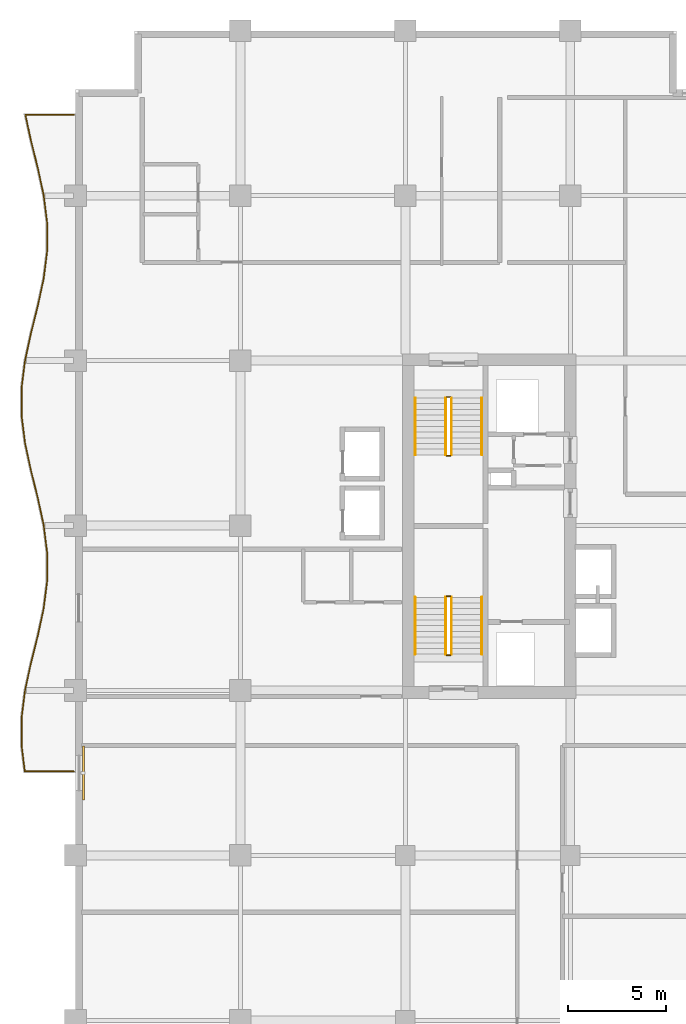
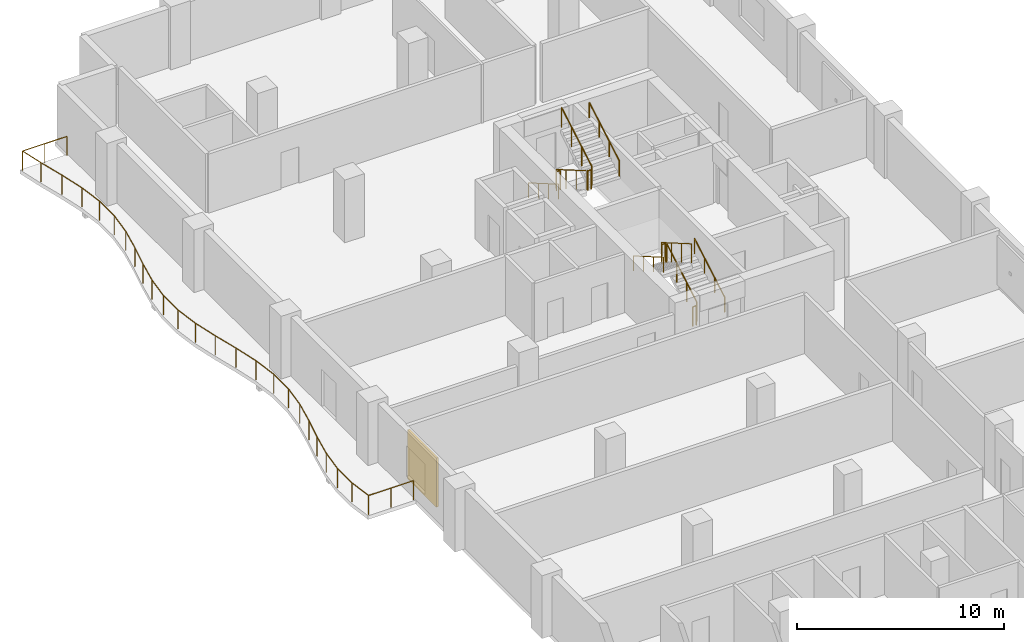
# One storey, part 13 of 14: 13 railings, 1 shading device.
"""IFC4 building model written with IfcOpenShell, lengths in metres."""

from ifc_helpers import new_model, si_unit, direction, frame, origin, origin_2d, place, context, subcontext, project, spatial, rectangle, circle, extrude, material, layer, layer_set, type_object, element, save


model = new_model("IFC4")

# Units and contexts
model_context = context("Model", 3, precision=1e-05, world=origin(), true_north=direction((0.0, 1.0)))
body_context = subcontext(model_context, "Body", "Model", "MODEL_VIEW")
ifc_project = project(units=[si_unit("LENGTHUNIT", "METRE"), si_unit("AREAUNIT", "SQUARE_METRE"), si_unit("VOLUMEUNIT", "CUBIC_METRE"), si_unit("PLANEANGLEUNIT", "RADIAN"), si_unit("MASSUNIT", "GRAM", prefix="KILO")], contexts=[model_context])

# Site, building, storey
site_placement = place(None, origin())
site = spatial("IfcSite", under=ifc_project, at=site_placement, CompositionType="ELEMENT")
building_placement = place(site_placement, origin())
building = spatial("IfcBuilding", under=site, at=building_placement, Name="Koriwani Terraces Tower", CompositionType="ELEMENT")
storey_placement = place(building_placement, frame((0.0, 0.0, 201.300048828125)))
storey = spatial("IfcBuildingStorey", under=building, at=storey_placement, Name="L49", CompositionType="ELEMENT", Elevation=201.300048828125)

# Railings
ifc_material_1 = material(Name="Steel ASTM A572 Grade 50", Category="steel")
railing_type_1 = type_object("IfcRailingType", Name="GUARD_BALUSTRADE_1150", PredefinedType="BALUSTRADE", material=ifc_material_1)
railing_1_placement = place(storey_placement, frame((-0.080078125, 37.8798828125, 0.0)))
element("IfcRailing", 1, at=railing_1_placement, inside=storey, type_object=railing_type_1, Name="L49 Balcony Perimeter Safety Balustrade (W)", PredefinedType="BALUSTRADE", context=body_context, shape_type="SweptSolid", body=[
    extrude(circle(Radius=0.02392578125, at=origin_2d()), frame((0.0, 0.0, 1.1259765625), z_axis=(-1.0, 0.0, 0.0), x_axis=(0.0, -1.0, 0.0)), (0.0, 0.0, 1.0), 2.501708984375),
    extrude(circle(Radius=0.02392578125, at=origin_2d()), frame((-2.501708984375, 0.0, 1.1259765625), z_axis=(-0.123764728544, 0.992311590161, 0.0), x_axis=(-0.992311590161, -0.123764728544, 0.0)), (0.0, 0.0, 1.0), 1.33544921875),
    extrude(circle(Radius=0.02392578125, at=origin_2d()), frame((-2.6669921875, 1.3251953125, 1.1259765625), z_axis=(0.0, 1.0, 0.0), x_axis=(-1.0, 0.0, 0.0)), (0.0, 0.0, 1.0), 1.389892578125),
    extrude(circle(Radius=0.02392578125, at=origin_2d()), frame((-2.6669921875, 2.715087890625, 1.1259765625), z_axis=(0.123777613669, 0.992309982997, 0.0), x_axis=(-0.992309982997, 0.123777613669, 0.0)), (0.0, 0.0, 1.0), 1.40234375),
    extrude(circle(Radius=0.02392578125, at=origin_2d()), frame((-2.493408203125, 4.106689453125, 1.1259765625), z_axis=(0.211385782237, 0.977402706702, 0.0), x_axis=(-0.977402706702, 0.211385782237, 0.0)), (0.0, 0.0, 1.0), 1.427490234375),
    extrude(circle(Radius=0.02392578125, at=origin_2d()), frame((-2.191650390625, 5.501953125, 1.1259765625), z_axis=(0.242097720621, 0.970251871253, 0.0), x_axis=(-0.970251871253, 0.242097720621, 0.0)), (0.0, 0.0, 1.0), 1.443115234375),
    extrude(circle(Radius=0.02392578125, at=origin_2d()), frame((-1.84228515625, 6.902099609375, 1.1259765625), z_axis=(0.211188023857, 0.977445455552, 0.0), x_axis=(-0.977445455552, 0.211188023857, 0.0)), (0.0, 0.0, 1.0), 1.43701171875),
    extrude(circle(Radius=0.02392578125, at=origin_2d()), frame((-1.538818359375, 8.306640625, 1.1259765625), z_axis=(0.123674829633, 0.992322798546, 0.0), x_axis=(-0.992322798546, 0.123674829633, 0.0)), (0.0, 0.0, 1.0), 1.41943359375),
    extrude(circle(Radius=0.02392578125, at=origin_2d()), frame((-1.36328125, 9.715087890625, 1.1259765625), z_axis=(0.0, 1.0, 0.0), x_axis=(-1.0, 0.0, 0.0)), (0.0, 0.0, 1.0), 1.409912109375),
    extrude(circle(Radius=0.02392578125, at=origin_2d()), frame((-1.36328125, 11.125, 1.1259765625), z_axis=(-0.123674829633, 0.992322798546, 0.0), x_axis=(-0.992322798546, -0.123674829633, 0.0)), (0.0, 0.0, 1.0), 1.41943359375),
    extrude(circle(Radius=0.02392578125, at=origin_2d()), frame((-1.538818359375, 12.533447265625, 1.1259765625), z_axis=(-0.21115295759, 0.977453031353, 0.0), x_axis=(-0.977453031353, -0.21115295759, 0.0)), (0.0, 0.0, 1.0), 1.437255859375),
    extrude(circle(Radius=0.02392578125, at=origin_2d()), frame((-1.84228515625, 13.938232421875, 1.1259765625), z_axis=(-0.242137466795, 0.970241952903, 0.0), x_axis=(-0.970241952903, -0.242137466795, 0.0)), (0.0, 0.0, 1.0), 1.44287109375),
    extrude(circle(Radius=0.02392578125, at=origin_2d()), frame((-2.191650390625, 15.338134765625, 1.1259765625), z_axis=(-0.211385782237, 0.977402706702, 0.0), x_axis=(-0.977402706702, -0.211385782237, 0.0)), (0.0, 0.0, 1.0), 1.427490234375),
    extrude(circle(Radius=0.02392578125, at=origin_2d()), frame((-2.493408203125, 16.7333984375, 1.1259765625), z_axis=(-0.123777613669, 0.992309982997, 0.0), x_axis=(-0.992309982997, -0.123777613669, 0.0)), (0.0, 0.0, 1.0), 1.40234375),
    extrude(circle(Radius=0.02392578125, at=origin_2d()), frame((-2.6669921875, 18.125, 1.1259765625), z_axis=(0.0, 1.0, 0.0), x_axis=(-1.0, 0.0, 0.0)), (0.0, 0.0, 1.0), 1.39013671875),
    extrude(circle(Radius=0.02392578125, at=origin_2d()), frame((-2.6669921875, 19.51513671875, 1.1259765625), z_axis=(0.123777613669, 0.992309982997, 0.0), x_axis=(-0.992309982997, 0.123777613669, 0.0)), (0.0, 0.0, 1.0), 1.40234375),
    extrude(circle(Radius=0.02392578125, at=origin_2d()), frame((-2.493408203125, 20.90673828125, 1.1259765625), z_axis=(0.211385782237, 0.977402706702, 0.0), x_axis=(-0.977402706702, 0.211385782237, 0.0)), (0.0, 0.0, 1.0), 1.427490234375),
    extrude(circle(Radius=0.02392578125, at=origin_2d()), frame((-2.191650390625, 22.302001953125, 1.1259765625), z_axis=(0.242137466795, 0.970241952903, 0.0), x_axis=(-0.970241952903, 0.242137466795, 0.0)), (0.0, 0.0, 1.0), 1.44287109375),
    extrude(circle(Radius=0.02392578125, at=origin_2d()), frame((-1.84228515625, 23.701904296875, 1.1259765625), z_axis=(0.21115295759, 0.977453031353, 0.0), x_axis=(-0.977453031353, 0.21115295759, 0.0)), (0.0, 0.0, 1.0), 1.437255859375),
    extrude(circle(Radius=0.02392578125, at=origin_2d()), frame((-1.538818359375, 25.106689453125, 1.1259765625), z_axis=(0.123674829633, 0.992322798546, 0.0), x_axis=(-0.992322798546, 0.123674829633, 0.0)), (0.0, 0.0, 1.0), 1.41943359375),
    extrude(circle(Radius=0.02392578125, at=origin_2d()), frame((-1.36328125, 26.51513671875, 1.1259765625), z_axis=(0.0, 1.0, 0.0), x_axis=(-1.0, 0.0, 0.0)), (0.0, 0.0, 1.0), 1.409912109375),
    extrude(circle(Radius=0.02392578125, at=origin_2d()), frame((-1.36328125, 27.925048828125, 1.1259765625), z_axis=(-0.123674829633, 0.992322798546, 0.0), x_axis=(-0.992322798546, -0.123674829633, 0.0)), (0.0, 0.0, 1.0), 1.41943359375),
    extrude(circle(Radius=0.02392578125, at=origin_2d()), frame((-1.538818359375, 29.33349609375, 1.1259765625), z_axis=(-0.21115295759, 0.977453031353, 0.0), x_axis=(-0.977453031353, -0.21115295759, 0.0)), (0.0, 0.0, 1.0), 1.437255859375),
    extrude(circle(Radius=0.02392578125, at=origin_2d()), frame((-1.84228515625, 30.73828125, 1.1259765625), z_axis=(-0.242137466795, 0.970241952903, 0.0), x_axis=(-0.970241952903, -0.242137466795, 0.0)), (0.0, 0.0, 1.0), 1.44287109375),
    extrude(circle(Radius=0.02392578125, at=origin_2d()), frame((-2.191650390625, 32.13818359375, 1.1259765625), z_axis=(-0.211318595877, 0.977417234878, 0.0), x_axis=(-0.977417234878, -0.211318595877, 0.0)), (0.0, 0.0, 1.0), 1.33203125),
    extrude(circle(Radius=0.02392578125, at=origin_2d()), frame((-2.47314453125, 33.440185546875, 1.1259765625), z_axis=(1.0, 0.0, 0.0), x_axis=(0.0, 1.0, 0.0)), (0.0, 0.0, 1.0), 2.47314453125),
    extrude(circle(Radius=0.02099609375, at=origin_2d()), origin(), (0.0, 0.0, 1.0), 1.101806640625),
    extrude(circle(Radius=0.02099609375, at=origin_2d()), frame((-1.2509765625, 0.0, 0.0)), (0.0, 0.0, 1.0), 1.101806640625),
    extrude(circle(Radius=0.02099609375, at=origin_2d()), frame((-2.501708984375, 0.0, 0.0)), (0.0, 0.0, 1.0), 1.101806640625),
    extrude(circle(Radius=0.02099609375, at=origin_2d()), frame((-2.6669921875, 1.3251953125, 0.0)), (0.0, 0.0, 1.0), 1.101806640625),
    extrude(circle(Radius=0.02099609375, at=origin_2d()), frame((-2.6669921875, 2.715087890625, 0.0)), (0.0, 0.0, 1.0), 1.101806640625),
    extrude(circle(Radius=0.02099609375, at=origin_2d()), frame((-2.493408203125, 4.106689453125, 0.0)), (0.0, 0.0, 1.0), 1.101806640625),
    extrude(circle(Radius=0.02099609375, at=origin_2d()), frame((-2.191650390625, 5.501953125, 0.0)), (0.0, 0.0, 1.0), 1.101806640625),
    extrude(circle(Radius=0.02099609375, at=origin_2d()), frame((-1.84228515625, 6.902099609375, 0.0)), (0.0, 0.0, 1.0), 1.101806640625),
    extrude(circle(Radius=0.02099609375, at=origin_2d()), frame((-1.538818359375, 8.306640625, 0.0)), (0.0, 0.0, 1.0), 1.101806640625),
    extrude(circle(Radius=0.02099609375, at=origin_2d()), frame((-1.36328125, 9.715087890625, 0.0)), (0.0, 0.0, 1.0), 1.101806640625),
    extrude(circle(Radius=0.02099609375, at=origin_2d()), frame((-1.36328125, 11.125, 0.0)), (0.0, 0.0, 1.0), 1.101806640625),
    extrude(circle(Radius=0.02099609375, at=origin_2d()), frame((-1.538818359375, 12.533447265625, 0.0)), (0.0, 0.0, 1.0), 1.101806640625),
    extrude(circle(Radius=0.02099609375, at=origin_2d()), frame((-1.84228515625, 13.938232421875, 0.0)), (0.0, 0.0, 1.0), 1.101806640625),
    extrude(circle(Radius=0.02099609375, at=origin_2d()), frame((-2.191650390625, 15.338134765625, 0.0)), (0.0, 0.0, 1.0), 1.101806640625),
    extrude(circle(Radius=0.02099609375, at=origin_2d()), frame((-2.493408203125, 16.7333984375, 0.0)), (0.0, 0.0, 1.0), 1.101806640625),
    extrude(circle(Radius=0.02099609375, at=origin_2d()), frame((-2.6669921875, 18.125, 0.0)), (0.0, 0.0, 1.0), 1.101806640625),
    extrude(circle(Radius=0.02099609375, at=origin_2d()), frame((-2.6669921875, 19.51513671875, 0.0)), (0.0, 0.0, 1.0), 1.101806640625),
    extrude(circle(Radius=0.02099609375, at=origin_2d()), frame((-2.493408203125, 20.90673828125, 0.0)), (0.0, 0.0, 1.0), 1.101806640625),
    extrude(circle(Radius=0.02099609375, at=origin_2d()), frame((-2.191650390625, 22.302001953125, 0.0)), (0.0, 0.0, 1.0), 1.101806640625),
    extrude(circle(Radius=0.02099609375, at=origin_2d()), frame((-1.84228515625, 23.701904296875, 0.0)), (0.0, 0.0, 1.0), 1.101806640625),
    extrude(circle(Radius=0.02099609375, at=origin_2d()), frame((-1.538818359375, 25.106689453125, 0.0)), (0.0, 0.0, 1.0), 1.101806640625),
    extrude(circle(Radius=0.02099609375, at=origin_2d()), frame((-1.36328125, 26.51513671875, 0.0)), (0.0, 0.0, 1.0), 1.101806640625),
    extrude(circle(Radius=0.02099609375, at=origin_2d()), frame((-1.36328125, 27.925048828125, 0.0)), (0.0, 0.0, 1.0), 1.101806640625),
    extrude(circle(Radius=0.02099609375, at=origin_2d()), frame((-1.538818359375, 29.33349609375, 0.0)), (0.0, 0.0, 1.0), 1.101806640625),
    extrude(circle(Radius=0.02099609375, at=origin_2d()), frame((-1.84228515625, 30.73828125, 0.0)), (0.0, 0.0, 1.0), 1.101806640625),
    extrude(circle(Radius=0.02099609375, at=origin_2d()), frame((-2.191650390625, 32.13818359375, 0.0)), (0.0, 0.0, 1.0), 1.101806640625),
    extrude(circle(Radius=0.02099609375, at=origin_2d()), frame((-2.47314453125, 33.440185546875, 0.0)), (0.0, 0.0, 1.0), 1.101806640625),
    extrude(circle(Radius=0.02099609375, at=origin_2d()), frame((-1.236572265625, 33.440185546875, 0.0)), (0.0, 0.0, 1.0), 1.101806640625),
    extrude(circle(Radius=0.02099609375, at=origin_2d()), frame((0.0, 33.440185546875, 0.0)), (0.0, 0.0, 1.0), 1.101806640625),
])
railing_type_2 = type_object("IfcRailingType", Name="GUARD_STAIR_WELL_1120", PredefinedType="GUARDRAIL", material=ifc_material_1)
railing_2_placement = place(storey_placement, frame((19.14990234375, 43.85009765625, 0.168212890625)))
element("IfcRailing", 2, at=railing_2_placement, inside=storey, type_object=railing_type_2, Name="L49 ST-W1 stair guard 1", PredefinedType="GUARDRAIL", context=body_context, shape_type="SweptSolid", body=[
    extrude(circle(Radius=0.02392578125, at=origin_2d()), frame((0.0, 0.0, 1.1259765625), z_axis=(0.0, 0.86507038078, 0.501650512107), x_axis=(-1.0, 0.0, 0.0)), (0.0, 0.0, 1.0), 3.352294921875),
    extrude(circle(Radius=0.02099609375, at=origin_2d()), origin(), (0.0, 0.0, 1.0), 1.101806640625),
    extrude(circle(Radius=0.02099609375, at=origin_2d()), frame((0.0, 0.966552734375, 0.560546875)), (0.0, 0.0, 1.0), 1.101806640625),
    extrude(circle(Radius=0.02099609375, at=origin_2d()), frame((0.0, 1.933349609375, 1.12109375)), (0.0, 0.0, 1.0), 1.101806640625),
    extrude(circle(Radius=0.02099609375, at=origin_2d()), frame((0.0, 2.89990234375, 1.681640625)), (0.0, 0.0, 1.0), 1.101806640625),
])
railing_3_placement = place(storey_placement, frame((19.10009765625, 46.800048828125, 1.849853515625)))
element("IfcRailing", 3, at=railing_3_placement, inside=storey, type_object=railing_type_2, Name="L49 ST-W1 stair guard 2", PredefinedType="GUARDRAIL", context=body_context, shape_type="SweptSolid", body=[
    extrude(circle(Radius=0.02392578125, at=origin_2d()), frame((0.0, 0.0, 1.1259765625), z_axis=(-1.0, 0.0, 0.0), x_axis=(0.0, -1.0, 0.0)), (0.0, 0.0, 1.0), 0.2001953125),
    extrude(circle(Radius=0.02099609375, at=origin_2d()), origin(), (0.0, 0.0, 1.0), 1.101806640625),
    extrude(circle(Radius=0.02099609375, at=origin_2d()), frame((-0.2001953125, 0.0, 0.0)), (0.0, 0.0, 1.0), 1.101806640625),
])
railing_4_placement = place(storey_placement, frame((18.85009765625, 46.75, 2.01806640625)))
element("IfcRailing", 4, at=railing_4_placement, inside=storey, type_object=railing_type_2, Name="L49 ST-W1 stair guard 3", PredefinedType="GUARDRAIL", context=body_context, shape_type="SweptSolid", body=[
    extrude(circle(Radius=0.02392578125, at=origin_2d()), frame((0.0, 0.0, 1.1259765625), z_axis=(0.0, -0.865038774852, 0.501705010941), x_axis=(1.0, 0.0, 0.0)), (0.0, 0.0, 1.0), 3.352294921875),
    extrude(circle(Radius=0.02099609375, at=origin_2d()), origin(), (0.0, 0.0, 1.0), 1.101806640625),
    extrude(circle(Radius=0.02099609375, at=origin_2d()), frame((0.0, -0.966552734375, 0.560546875)), (0.0, 0.0, 1.0), 1.101806640625),
    extrude(circle(Radius=0.02099609375, at=origin_2d()), frame((0.0, -1.933349609375, 1.121337890625)), (0.0, 0.0, 1.0), 1.101806640625),
    extrude(circle(Radius=0.02099609375, at=origin_2d()), frame((0.0, -2.89990234375, 1.681884765625)), (0.0, 0.0, 1.0), 1.101806640625),
])
railing_5_placement = place(storey_placement, frame((19.10009765625, 43.800048828125, 0.0)))
element("IfcRailing", 5, at=railing_5_placement, inside=storey, type_object=railing_type_2, Name="L49 ST-W1 stair guard 4", PredefinedType="GUARDRAIL", context=body_context, shape_type="SweptSolid", body=[
    extrude(circle(Radius=0.02392578125, at=origin_2d()), frame((0.0, 0.0, 1.1259765625), z_axis=(-1.0, 0.0, 0.0), x_axis=(0.0, -1.0, 0.0)), (0.0, 0.0, 1.0), 0.2001953125),
    extrude(circle(Radius=0.02099609375, at=origin_2d()), origin(), (0.0, 0.0, 1.0), 1.101806640625),
    extrude(circle(Radius=0.02099609375, at=origin_2d()), frame((-0.2001953125, 0.0, 0.0)), (0.0, 0.0, 1.0), 1.101806640625),
])
railing_6_placement = place(storey_placement, frame((18.85009765625, 56.89990234375, 0.168212890625)))
element("IfcRailing", 6, at=railing_6_placement, inside=storey, type_object=railing_type_2, Name="L49 ST-W2 stair guard 1", PredefinedType="GUARDRAIL", context=body_context, shape_type="SweptSolid", body=[
    extrude(circle(Radius=0.02392578125, at=origin_2d()), frame((0.0, 0.0, 1.1259765625), z_axis=(0.0, -0.86507038078, 0.501650512107), x_axis=(1.0, 0.0, 0.0)), (0.0, 0.0, 1.0), 3.352294921875),
    extrude(circle(Radius=0.02099609375, at=origin_2d()), origin(), (0.0, 0.0, 1.0), 1.101806640625),
    extrude(circle(Radius=0.02099609375, at=origin_2d()), frame((0.0, -0.966552734375, 0.560546875)), (0.0, 0.0, 1.0), 1.101806640625),
    extrude(circle(Radius=0.02099609375, at=origin_2d()), frame((0.0, -1.933349609375, 1.12109375)), (0.0, 0.0, 1.0), 1.101806640625),
    extrude(circle(Radius=0.02099609375, at=origin_2d()), frame((0.0, -2.89990234375, 1.681640625)), (0.0, 0.0, 1.0), 1.101806640625),
])
railing_7_placement = place(storey_placement, frame((18.89990234375, 53.949951171875, 1.849853515625)))
element("IfcRailing", 7, at=railing_7_placement, inside=storey, type_object=railing_type_2, Name="L49 ST-W2 stair guard 2", PredefinedType="GUARDRAIL", context=body_context, shape_type="SweptSolid", body=[
    extrude(circle(Radius=0.02392578125, at=origin_2d()), frame((0.0, 0.0, 1.1259765625), z_axis=(1.0, 0.0, 0.0), x_axis=(0.0, 1.0, 0.0)), (0.0, 0.0, 1.0), 0.2001953125),
    extrude(circle(Radius=0.02099609375, at=origin_2d()), origin(), (0.0, 0.0, 1.0), 1.101806640625),
    extrude(circle(Radius=0.02099609375, at=origin_2d()), frame((0.2001953125, 0.0, 0.0)), (0.0, 0.0, 1.0), 1.101806640625),
])
railing_8_placement = place(storey_placement, frame((19.14990234375, 54.0, 2.01806640625)))
element("IfcRailing", 8, at=railing_8_placement, inside=storey, type_object=railing_type_2, Name="L49 ST-W2 stair guard 3", PredefinedType="GUARDRAIL", context=body_context, shape_type="SweptSolid", body=[
    extrude(circle(Radius=0.02392578125, at=origin_2d()), frame((0.0, 0.0, 1.1259765625), z_axis=(0.0, 0.865038774852, 0.501705010941), x_axis=(-1.0, 0.0, 0.0)), (0.0, 0.0, 1.0), 3.352294921875),
    extrude(circle(Radius=0.02099609375, at=origin_2d()), origin(), (0.0, 0.0, 1.0), 1.101806640625),
    extrude(circle(Radius=0.02099609375, at=origin_2d()), frame((0.0, 0.966552734375, 0.560546875)), (0.0, 0.0, 1.0), 1.101806640625),
    extrude(circle(Radius=0.02099609375, at=origin_2d()), frame((0.0, 1.933349609375, 1.121337890625)), (0.0, 0.0, 1.0), 1.101806640625),
    extrude(circle(Radius=0.02099609375, at=origin_2d()), frame((0.0, 2.89990234375, 1.681884765625)), (0.0, 0.0, 1.0), 1.101806640625),
])
railing_9_placement = place(storey_placement, frame((18.89990234375, 56.949951171875, 0.0)))
element("IfcRailing", 9, at=railing_9_placement, inside=storey, type_object=railing_type_2, Name="L49 ST-W2 stair guard 4", PredefinedType="GUARDRAIL", context=body_context, shape_type="SweptSolid", body=[
    extrude(circle(Radius=0.02392578125, at=origin_2d()), frame((0.0, 0.0, 1.1259765625), z_axis=(1.0, 0.0, 0.0), x_axis=(0.0, 1.0, 0.0)), (0.0, 0.0, 1.0), 0.2001953125),
    extrude(circle(Radius=0.02099609375, at=origin_2d()), origin(), (0.0, 0.0, 1.0), 1.101806640625),
    extrude(circle(Radius=0.02099609375, at=origin_2d()), frame((0.2001953125, 0.0, 0.0)), (0.0, 0.0, 1.0), 1.101806640625),
])
railing_type_3 = type_object("IfcRailingType", Name="HANDRAIL_STAIR_920", PredefinedType="HANDRAIL", material=ifc_material_1)
railing_10_placement = place(storey_placement, frame((20.699951171875, 43.85009765625, 0.168212890625)))
element("IfcRailing", 10, at=railing_10_placement, inside=storey, type_object=railing_type_3, Name="L49 ST-W1 stair handrail 1", PredefinedType="HANDRAIL", context=body_context, shape_type="SweptSolid", body=[
    extrude(circle(Radius=0.02392578125, at=origin_2d()), frame((0.0, 0.0, 0.8759765625), z_axis=(0.0, 0.86507038078, 0.501650512107), x_axis=(-1.0, 0.0, 0.0)), (0.0, 0.0, 1.0), 3.352294921875),
    extrude(circle(Radius=0.02099609375, at=origin_2d()), origin(), (0.0, 0.0, 1.0), 0.851806640625),
    extrude(circle(Radius=0.02099609375, at=origin_2d()), frame((0.0, 0.966552734375, 0.560546875)), (0.0, 0.0, 1.0), 0.851806640625),
    extrude(circle(Radius=0.02099609375, at=origin_2d()), frame((0.0, 1.933349609375, 1.12109375)), (0.0, 0.0, 1.0), 0.851806640625),
    extrude(circle(Radius=0.02099609375, at=origin_2d()), frame((0.0, 2.89990234375, 1.681640625)), (0.0, 0.0, 1.0), 0.851806640625),
])
railing_11_placement = place(storey_placement, frame((17.300048828125, 46.75, 2.01806640625)))
element("IfcRailing", 11, at=railing_11_placement, inside=storey, type_object=railing_type_3, Name="L49 ST-W1 stair handrail 2", PredefinedType="HANDRAIL", context=body_context, shape_type="SweptSolid", body=[
    extrude(circle(Radius=0.02392578125, at=origin_2d()), frame((0.0, 0.0, 0.8759765625), z_axis=(0.0, -0.865038774852, 0.501705010941), x_axis=(1.0, 0.0, 0.0)), (0.0, 0.0, 1.0), 3.352294921875),
    extrude(circle(Radius=0.02099609375, at=origin_2d()), origin(), (0.0, 0.0, 1.0), 0.851806640625),
    extrude(circle(Radius=0.02099609375, at=origin_2d()), frame((0.0, -0.966552734375, 0.560546875)), (0.0, 0.0, 1.0), 0.851806640625),
    extrude(circle(Radius=0.02099609375, at=origin_2d()), frame((0.0, -1.933349609375, 1.121337890625)), (0.0, 0.0, 1.0), 0.851806640625),
    extrude(circle(Radius=0.02099609375, at=origin_2d()), frame((0.0, -2.89990234375, 1.681884765625)), (0.0, 0.0, 1.0), 0.851806640625),
])
railing_12_placement = place(storey_placement, frame((17.300048828125, 56.89990234375, 0.168212890625)))
element("IfcRailing", 12, at=railing_12_placement, inside=storey, type_object=railing_type_3, Name="L49 ST-W2 stair handrail 1", PredefinedType="HANDRAIL", context=body_context, shape_type="SweptSolid", body=[
    extrude(circle(Radius=0.02392578125, at=origin_2d()), frame((0.0, 0.0, 0.8759765625), z_axis=(0.0, -0.86507038078, 0.501650512107), x_axis=(1.0, 0.0, 0.0)), (0.0, 0.0, 1.0), 3.352294921875),
    extrude(circle(Radius=0.02099609375, at=origin_2d()), origin(), (0.0, 0.0, 1.0), 0.851806640625),
    extrude(circle(Radius=0.02099609375, at=origin_2d()), frame((0.0, -0.966552734375, 0.560546875)), (0.0, 0.0, 1.0), 0.851806640625),
    extrude(circle(Radius=0.02099609375, at=origin_2d()), frame((0.0, -1.933349609375, 1.12109375)), (0.0, 0.0, 1.0), 0.851806640625),
    extrude(circle(Radius=0.02099609375, at=origin_2d()), frame((0.0, -2.89990234375, 1.681640625)), (0.0, 0.0, 1.0), 0.851806640625),
])
railing_13_placement = place(storey_placement, frame((20.699951171875, 54.0, 2.01806640625)))
element("IfcRailing", 13, at=railing_13_placement, inside=storey, type_object=railing_type_3, Name="L49 ST-W2 stair handrail 2", PredefinedType="HANDRAIL", context=body_context, shape_type="SweptSolid", body=[
    extrude(circle(Radius=0.02392578125, at=origin_2d()), frame((0.0, 0.0, 0.8759765625), z_axis=(0.0, 0.865038774852, 0.501705010941), x_axis=(-1.0, 0.0, 0.0)), (0.0, 0.0, 1.0), 3.352294921875),
    extrude(circle(Radius=0.02099609375, at=origin_2d()), origin(), (0.0, 0.0, 1.0), 0.851806640625),
    extrude(circle(Radius=0.02099609375, at=origin_2d()), frame((0.0, 0.966552734375, 0.560546875)), (0.0, 0.0, 1.0), 0.851806640625),
    extrude(circle(Radius=0.02099609375, at=origin_2d()), frame((0.0, 1.933349609375, 1.121337890625)), (0.0, 0.0, 1.0), 0.851806640625),
    extrude(circle(Radius=0.02099609375, at=origin_2d()), frame((0.0, 2.89990234375, 1.681884765625)), (0.0, 0.0, 1.0), 0.851806640625),
])

# Shading device
ifc_material_2 = material(Name="Extruded Terracotta Clay", Category="masonry")
ifc_layer = layer(ifc_material_2, 0.1201171875, Name="Extruded Terracotta Clay")
ifc_layer_set = layer_set([ifc_layer], Name="Extruded Terracotta Clay")
shading_device_type = type_object("IfcShadingDeviceType", Name="TERRACOTTA_BAGUETTE_SCREEN_2800", PredefinedType="USERDEFINED", material=ifc_layer_set)
shading_device_placement = place(storey_placement, frame((0.405029296875, 37.800048828125, 0.284912109375), z_axis=(0.0, 0.0, 1.0), x_axis=(0.0, 1.0, 0.0)))
element("IfcShadingDevice", 14, at=shading_device_placement, inside=storey, type_object=shading_device_type, Name="L49 Extruded Terracotta Baguette Screen (W-12)", ObjectType="BAGUETTE", PredefinedType="USERDEFINED", context=body_context, shape_type="SweptSolid", body=[
    extrude(rectangle(XDim=2.760009765625, YDim=0.1201171875, at=origin_2d()), origin(), (0.0, 0.0, 1.0), 2.89990234375),
])

save(model, "model.ifc")
